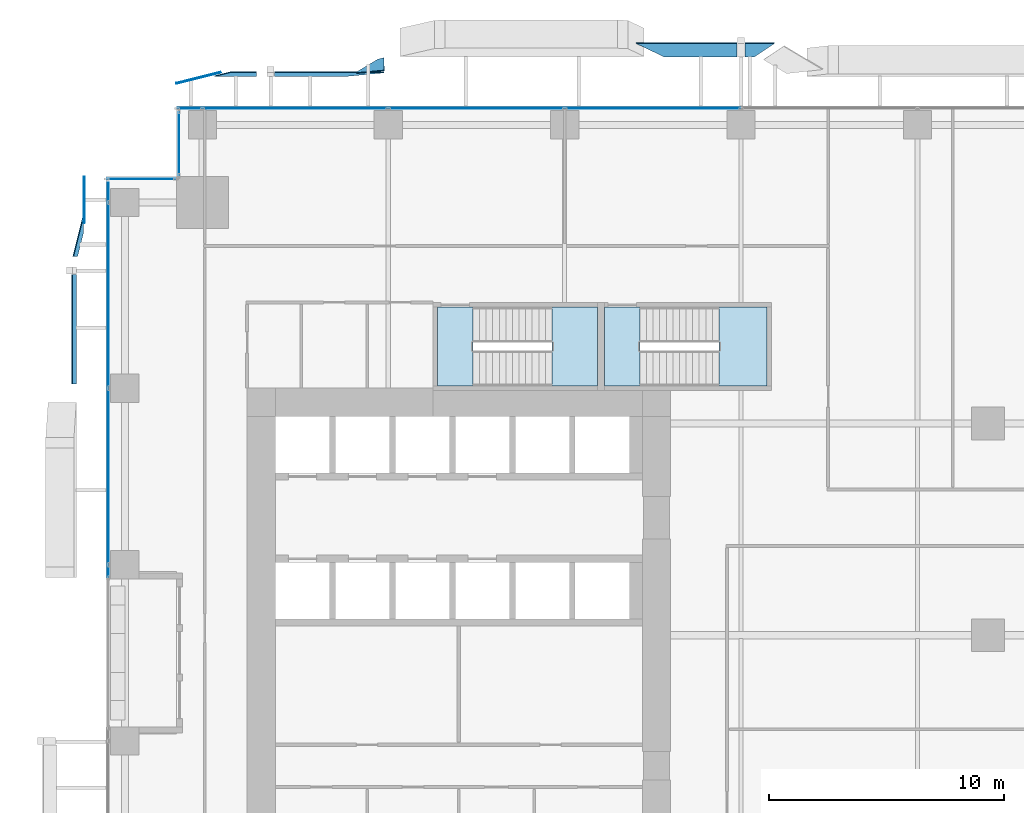
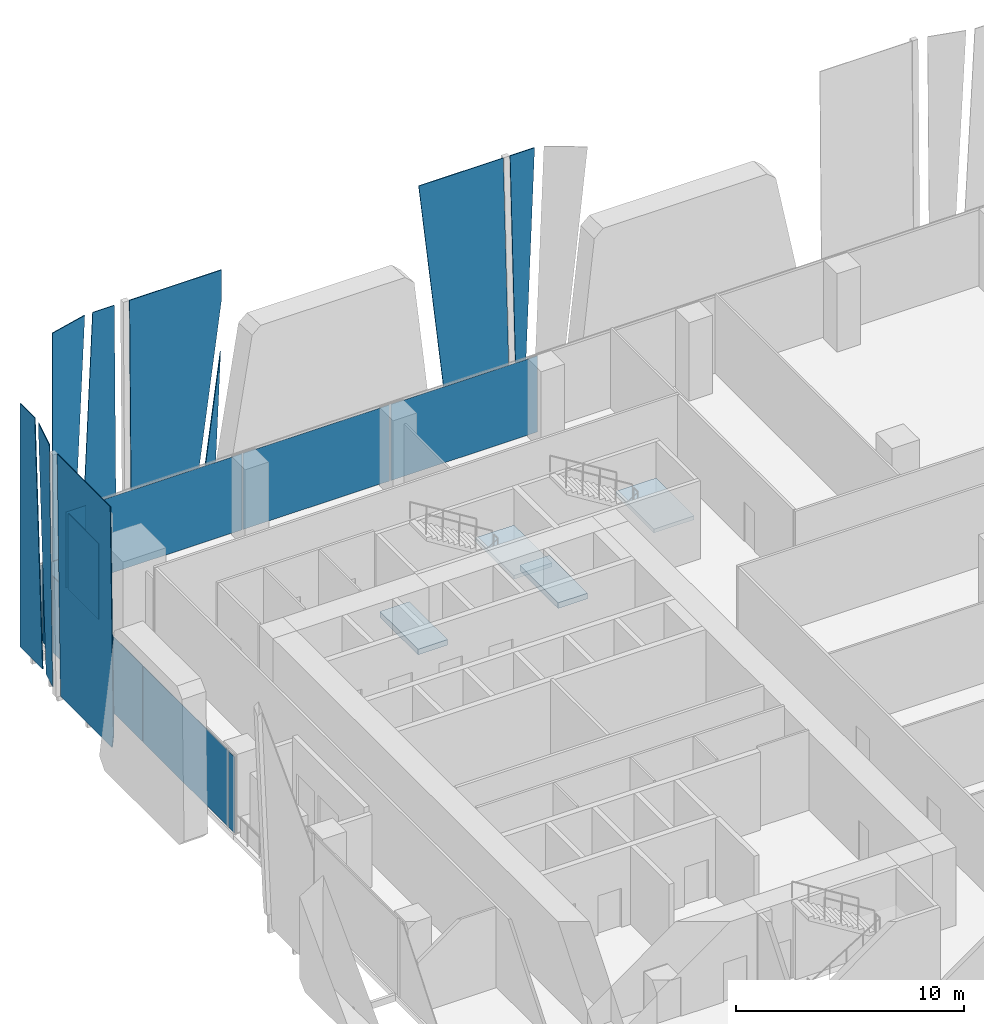
# One storey, part 27 of 37: 19 plates, 4 slabs, 6 elements without a shape of their own.
"""IFC4 building model written with IfcOpenShell, lengths in metres."""

from ifc_helpers import new_model, si_unit, direction, frame, origin, origin_2d, place, context, subcontext, project, spatial, polyline, rectangle, outline, extrude, source, transform, mapped, material, layer, layer_set, type_object, element, aggregate, save


model = new_model("IFC4")

# Units and contexts
model_context = context("Model", 3, precision=1e-05, world=origin(), true_north=direction((0.0, 1.0)))
body_context = subcontext(model_context, "Body", "Model", "MODEL_VIEW")
ifc_project = project(units=[si_unit("LENGTHUNIT", "METRE"), si_unit("AREAUNIT", "SQUARE_METRE"), si_unit("VOLUMEUNIT", "CUBIC_METRE"), si_unit("PLANEANGLEUNIT", "RADIAN"), si_unit("MASSUNIT", "GRAM", prefix="KILO")], contexts=[model_context])

# Site, building, storey
site_placement = place(None, origin())
site = spatial("IfcSite", under=ifc_project, at=site_placement, CompositionType="ELEMENT")
building_placement = place(site_placement, origin())
building = spatial("IfcBuilding", under=site, at=building_placement, Name="Khomas Fold Tower", CompositionType="ELEMENT")
storey_placement = place(building_placement, frame((0.0, 0.0, 60.0)))
storey = spatial("IfcBuildingStorey", under=building, at=storey_placement, Name="L12", CompositionType="ELEMENT", Elevation=60.0)

# Plates
ifc_material_1 = material(Name="Clear laminated glass", Category="glass")
ifc_layer_1 = layer(ifc_material_1, 0.0400390625)
ifc_layer_set_1 = layer_set([ifc_layer_1], Name="Clear laminated glass")
plate_type_1 = type_object("IfcPlateType", Name="SK-Clear laminated glass leaf", PredefinedType="SHEET", material=ifc_layer_set_1)
plate_1_placement = place(storey_placement, frame((6.39990234375, 55.254638671875, 0.0), z_axis=(0.0, -0.999913527075, 0.013150603512), x_axis=(-1.0, 0.0, 0.0)))
element("IfcPlate", 1, at=plate_1_placement, inside=storey, type_object=plate_type_1, Name="OUTER SKIN glass L12 NG098-1", PredefinedType="SHEET", context=body_context, shape_type="SweptSolid", body=[
    extrude(outline(polyline([(0.0, 0.0), (1.78076171875, 0.0), (1.0947265625, -13.051177401611568), (0.0, -13.051177401611568), (0.0, 0.0)])), origin(), (0.0, 0.0, -1.0), 0.0400390625),
])
plate_2_placement = place(storey_placement, frame((4.208984375, 55.243408203125, 0.0), z_axis=(0.242589153705, -0.970129116395, 5.311545e-06), x_axis=(-0.970129116408, -0.242589153708, 2.93e-10)))
element("IfcPlate", 2, at=plate_2_placement, inside=storey, type_object=plate_type_1, Name="OUTER SKIN glass L12 NG098-2", PredefinedType="SHEET", context=body_context, shape_type="SweptSolid", body=[
    extrude(outline(polyline([(0.0, 0.0), (1.2562587433930767, 2.117582368135751e-22), (1.2562587472176852, -13.050048827940913), (-0.7069416131304126, -13.050048828884448), (0.0, 0.0)])), origin(), (0.0, 0.0, -1.0), 0.0400390625),
])
plate_3_placement = place(storey_placement, frame((10.20458984375, 55.254638671875, 0.0), z_axis=(-3.630816e-06, -0.999913521121, 0.013151055681), x_axis=(-0.999999999993, 3.630502e-06, -4.7749e-08)))
element("IfcPlate", 3, at=plate_3_placement, inside=storey, type_object=plate_type_1, Name="OUTER SKIN glass L12 NG099-4", PredefinedType="SHEET", context=body_context, shape_type="SweptSolid", body=[
    extrude(outline(polyline([(0.0, 0.0), (3.0346679687299973, -2.0081748074285418e-23), (3.0346679687085687, -13.051177401610234), (-1.625488281260714, -13.051177401610234), (-1.6254882813621536, -11.53102604196463), (0.0, 0.0)])), origin(), (0.0, 0.0, -1.0), 0.0400390625),
])
plate_4_placement = place(storey_placement, frame((11.561767578125, 55.99462890625, 0.00244140625), z_axis=(-0.51351029204, 0.855899223322, 0.061185778461), x_axis=(-0.857505802134, -0.514474294115, 1.534219e-06)))
element("IfcPlate", 4, at=plate_4_placement, inside=storey, type_object=plate_type_1, Name="OUTER SKIN glass L12 NG099-5", PredefinedType="SHEET", context=body_context, shape_type="SweptSolid", body=[
    extrude(outline(polyline([(0.0, 0.0), (0.9609112616658309, 3.469446951953614e-18), (1.0078891432317691, 0.04501191390445132), (1.0252232275310489, 0.09760362541417716), (1.041719918053912, 0.15948604061176724), (1.0637015507310672, 0.24802471269793766), (1.074545820850679, 0.2947449708503985), (1.0864787055430158, 0.3869593856419874), (0.02968566915562087, 8.681057390938134), (-0.24150484592150526, 1.2917328566879998), (0.0, 0.0)])), origin(), (0.0, 0.0, -1.0), 0.0400390625),
])
plate_5_placement = place(storey_placement, frame((23.728515625, 56.08251953125, 0.0), z_axis=(0.0, -0.99904235518, 0.043753543365), x_axis=(-0.09040611874, 0.043574371829, 0.994951259014)))
element("IfcPlate", 5, at=plate_5_placement, inside=storey, type_object=plate_type_1, Name="OUTER SKIN glass L12 NG102-6", PredefinedType="SHEET", context=body_context, shape_type="SweptSolid", body=[
    extrude(outline(polyline([(0.0, 0.0), (13.116269475405648, -2.220446049250313e-16), (12.728666484389855, -4.269796726929475), (-0.2804002276558648, -3.0888615465470104), (0.0, 0.0)])), origin(), (0.0, 0.0, -1.0), 0.0400390625),
])
plate_6_placement = place(storey_placement, frame((27.556640625, 56.08251953125, 0.0), z_axis=(0.0, -0.99904235518, 0.043753543365), x_axis=(-1.0, 0.0, 0.0)))
element("IfcPlate", 6, at=plate_6_placement, inside=storey, type_object=plate_type_1, Name="OUTER SKIN glass L12 NG103-8", PredefinedType="SHEET", context=body_context, shape_type="SweptSolid", body=[
    extrude(outline(polyline([(0.0, 0.0), (0.38671875, 0.0), (0.38671875, -13.062558119247587), (-0.8583984375, -13.062558119247587), (0.0, 0.0)])), origin(), (0.0, 0.0, -1.0), 0.0400390625),
])
plate_7_placement = place(storey_placement, frame((-1.2646484375, 42.169921875, 0.7509765625), z_axis=(0.999913529093, -1.429417e-05, 0.013150442287), x_axis=(-0.013150442288, 1.52e-10, 0.999913529195)))
element("IfcPlate", 7, at=plate_7_placement, inside=storey, type_object=plate_type_1, Name="OUTER SKIN glass L12 WG106-8", PredefinedType="SHEET", context=body_context, shape_type="SweptSolid", body=[
    extrude(outline(polyline([(0.0, 0.0), (12.300134143813965, 4.235164736271502e-22), (12.300134144524073, -4.6601562495239115), (-0.751043257087326, -4.660156251542712), (-0.7510432577750012, -0.14721679887875988), (0.0, 0.0)])), origin(), (0.0, 0.0, -1.0), 0.0400390625),
])
plate_8_placement = place(storey_placement, frame((-0.93994140625, 49.019287109375, 0.0), z_axis=(-1.0, 0.0, 0.0), x_axis=(0.0, 0.052478427046, 0.998622057985)))
element("IfcPlate", 8, at=plate_8_placement, inside=storey, type_object=plate_type_1, Name="OUTER SKIN glass L12 WG107-10", PredefinedType="SHEET", context=body_context, shape_type="SweptSolid", body=[
    extrude(outline(polyline([(0.0, 0.0), (13.068055851333002, 0.0), (13.136011314480237, 1.2931375477426834), (0.10394469692939749, 1.9779835831139498), (0.0, 0.0)])), origin(), (0.0, 0.0, -1.0), 0.0400390625),
])
plate_9_placement = place(storey_placement, frame((-1.376220703125, 47.60009765625, 13.050048828125), z_axis=(0.970027872378, -0.242659173669, 0.012745675502), x_axis=(0.242678878997, 0.970106675417, 5.93401e-07)))
element("IfcPlate", 9, at=plate_9_placement, inside=storey, type_object=plate_type_1, Name="OUTER SKIN glass L12 WG107-11", PredefinedType="SHEET", context=body_context, shape_type="SweptSolid", body=[
    extrude(outline(polyline([(0.0, 0.0), (1.756843755813979, 0.0), (1.0915455696981158, -13.051109609930467), (0.041584192864100936, -13.051107944233095), (0.0, 0.0)])), origin(), (0.0, 0.0, -1.0), 0.0400390625),
])

# Curtain wall, plate
ifc_material_2 = material(Name="Aluminium framed double glazing", Category="aluminium")
curtain_wall_type = type_object("IfcCurtainWallType", Name="SK-Unitised clear-glass wall, growing floors CW1", PredefinedType="NOTDEFINED", material=ifc_material_2)
curtain_wall_1_placement = place(storey_placement, origin())
curtain_wall_1 = element("IfcCurtainWall", 10, at=curtain_wall_1_placement, inside=storey, type_object=curtain_wall_type, Name="CW1 run L12 09-0", PredefinedType="NOTDEFINED")
ifc_material_3 = material(Name="Clear double glazed unit")
ifc_layer_2 = layer(ifc_material_3, 0.031982421875)
ifc_layer_set_2 = layer_set([ifc_layer_2], Name="Clear double glazed unit")
plate_type_2 = type_object("IfcPlateType", Name="SK-Unitised clear-glass wall, growing floors glass panel CW1-P", PredefinedType="CURTAIN_PANEL", material=ifc_layer_set_2)
shared_shape_1 = source(origin(), body_context, "Body", "SweptSolid", [
    extrude(rectangle(XDim=0.81005859375, YDim=0.031982421875, at=origin_2d()), origin(), (0.0, 0.0, 1.0), 4.080078125),
])
plate_10_placement = place(storey_placement, frame((0.10009765625, 50.3349609375, 0.0), z_axis=(0.0, 0.0, 1.0), x_axis=(0.0, -1.0, 0.0)))
plate_10 = element("IfcPlate", 11, at=plate_10_placement, type_object=plate_type_2, Name="CW1 glass panel 1", PredefinedType="CURTAIN_PANEL", context=body_context, shape_type="MappedRepresentation", body=[
    mapped(shared_shape_1, transform((0.0, 0.0, 0.0))),
])

curtain_wall_2_placement = place(storey_placement, origin())
curtain_wall_2 = element("IfcCurtainWall", 12, at=curtain_wall_2_placement, inside=storey, type_object=curtain_wall_type, Name="CW1 run L12 06-0", PredefinedType="NOTDEFINED")
shared_shape_2 = source(origin(), body_context, "Body", "SweptSolid", [
    extrude(rectangle(XDim=7.840087890625, YDim=0.031982421875, at=origin_2d()), origin(), (0.0, 0.0, 1.0), 4.080078125),
])
plate_11_placement = place(storey_placement, frame((8.050048828125, 53.89990234375, 0.0), z_axis=(0.0, 0.0, 1.0), x_axis=(-1.0, 0.0, 0.0)))
plate_11 = element("IfcPlate", 13, at=plate_11_placement, type_object=plate_type_2, Name="CW1 glass panel 7", PredefinedType="CURTAIN_PANEL", context=body_context, shape_type="MappedRepresentation", body=[
    mapped(shared_shape_2, transform((0.0, 0.0, 0.0))),
])

# Plate
plate_12_placement = place(storey_placement, frame((0.10009765625, 45.949951171875, 0.0), z_axis=(0.0, 0.0, 1.0), x_axis=(0.0, -1.0, 0.0)))
plate_12 = element("IfcPlate", 14, at=plate_12_placement, type_object=plate_type_2, Name="CW1 glass panel 2", PredefinedType="CURTAIN_PANEL", context=body_context, shape_type="MappedRepresentation", body=[
    mapped(shared_shape_2, transform((0.0, 0.0, 0.0))),
])

shared_shape_3 = source(origin(), body_context, "Body", "SweptSolid", [
    extrude(rectangle(XDim=7.43994140625, YDim=0.031982421875, at=origin_2d()), origin(), (0.0, 0.0, 1.0), 4.080078125),
])
plate_13_placement = place(storey_placement, frame((23.25, 53.89990234375, 0.0), z_axis=(0.0, 0.0, 1.0), x_axis=(-1.0, 0.0, 0.0)))
plate_13 = element("IfcPlate", 15, at=plate_13_placement, type_object=plate_type_2, Name="CW1 glass panel 5", PredefinedType="CURTAIN_PANEL", context=body_context, shape_type="MappedRepresentation", body=[
    mapped(shared_shape_3, transform((0.0, 0.0, 0.0))),
])

plate_14_placement = place(storey_placement, frame((15.75, 53.89990234375, 0.0), z_axis=(0.0, 0.0, 1.0), x_axis=(-1.0, 0.0, 0.0)))
plate_14 = element("IfcPlate", 16, at=plate_14_placement, type_object=plate_type_2, Name="CW1 glass panel 6", PredefinedType="CURTAIN_PANEL", context=body_context, shape_type="MappedRepresentation", body=[
    mapped(shared_shape_3, transform((0.0, 0.0, 0.0))),
])

plate_15_placement = place(storey_placement, frame((0.10009765625, 38.25, 0.0), z_axis=(0.0, 0.0, 1.0), x_axis=(0.0, -1.0, 0.0)))
plate_15 = element("IfcPlate", 17, at=plate_15_placement, type_object=plate_type_2, Name="CW1 glass panel 3", PredefinedType="CURTAIN_PANEL", context=body_context, shape_type="MappedRepresentation", body=[
    mapped(shared_shape_3, transform((0.0, 0.0, 0.0))),
])

shared_shape_4 = source(origin(), body_context, "Body", "SweptSolid", [
    extrude(rectangle(XDim=1.010009765625, YDim=0.031982421875, at=origin_2d()), origin(), (0.0, 0.0, 1.0), 4.080078125),
])
plate_16_placement = place(storey_placement, frame((3.56494140625, 53.89990234375, 0.0), z_axis=(0.0, 0.0, 1.0), x_axis=(-1.0, 0.0, 0.0)))
plate_16 = element("IfcPlate", 18, at=plate_16_placement, type_object=plate_type_2, Name="CW1 glass panel 8", PredefinedType="CURTAIN_PANEL", context=body_context, shape_type="MappedRepresentation", body=[
    mapped(shared_shape_4, transform((0.0, 0.0, 0.0))),
])

aggregate(curtain_wall_2, [plate_13, plate_14, plate_11, plate_16])

# Curtain wall, plate
curtain_wall_3_placement = place(storey_placement, origin())
curtain_wall_3 = element("IfcCurtainWall", 19, at=curtain_wall_3_placement, inside=storey, type_object=curtain_wall_type, Name="CW1 corner return L12 07", PredefinedType="NOTDEFINED")
shared_shape_5 = source(origin(), body_context, "Body", "SweptSolid", [
    extrude(rectangle(XDim=2.679931640625, YDim=0.031982421875, at=origin_2d()), origin(), (0.0, 0.0, 1.0), 4.080078125),
])
plate_17_placement = place(storey_placement, frame((3.10009765625, 52.39990234375, 0.0), z_axis=(0.0, 0.0, 1.0), x_axis=(0.0, -1.0, 0.0)))
plate_17 = element("IfcPlate", 20, at=plate_17_placement, type_object=plate_type_2, Name="CW1 glass panel 1", PredefinedType="CURTAIN_PANEL", context=body_context, shape_type="MappedRepresentation", body=[
    mapped(shared_shape_5, transform((0.0, 0.0, 0.0))),
])
aggregate(curtain_wall_3, [plate_17])

curtain_wall_4_placement = place(storey_placement, origin())
curtain_wall_4 = element("IfcCurtainWall", 21, at=curtain_wall_4_placement, inside=storey, type_object=curtain_wall_type, Name="CW1 corner return L12 08", PredefinedType="NOTDEFINED")
shared_shape_6 = source(origin(), body_context, "Body", "SweptSolid", [
    extrude(rectangle(XDim=2.8798828125, YDim=0.031982421875, at=origin_2d()), origin(), (0.0, 0.0, 1.0), 4.080078125),
])
plate_18_placement = place(storey_placement, frame((1.5, 50.89990234375, 0.0), z_axis=(0.0, 0.0, 1.0), x_axis=(-1.0, 0.0, 0.0)))
plate_18 = element("IfcPlate", 22, at=plate_18_placement, type_object=plate_type_2, Name="CW1 glass panel 1", PredefinedType="CURTAIN_PANEL", context=body_context, shape_type="MappedRepresentation", body=[
    mapped(shared_shape_6, transform((0.0, 0.0, 0.0))),
])
aggregate(curtain_wall_4, [plate_18])

# Plate
shared_shape_7 = source(origin(), body_context, "Body", "SweptSolid", [
    extrude(rectangle(XDim=0.510009765625, YDim=0.031982421875, at=origin_2d()), origin(), (0.0, 0.0, 1.0), 4.080078125),
])
plate_19_placement = place(storey_placement, frame((0.10009765625, 34.215087890625, 0.0), z_axis=(0.0, 0.0, 1.0), x_axis=(0.0, -1.0, 0.0)))
plate_19 = element("IfcPlate", 23, at=plate_19_placement, type_object=plate_type_2, Name="CW1 glass panel 4", PredefinedType="CURTAIN_PANEL", context=body_context, shape_type="MappedRepresentation", body=[
    mapped(shared_shape_7, transform((0.0, 0.0, 0.0))),
])

aggregate(curtain_wall_1, [plate_10, plate_12, plate_15, plate_19])

# Stair, slab
ifc_material_4 = material(Name="Concrete C40/50", Category="concrete")
stair_type_1 = type_object("IfcStairType", Name="Stair ST1", PredefinedType="HALF_TURN_STAIR", material=ifc_material_4)
stair_1_placement = place(storey_placement, origin())
stair_1 = element("IfcStair", 24, at=stair_1_placement, inside=storey, type_object=stair_type_1, Name="L12 ST1", PredefinedType="HALF_TURN_STAIR")
ifc_material_5 = material(Name="Concrete C40/50", Category="concrete")
ifc_layer_3 = layer(ifc_material_5, 0.199951171875)
ifc_layer_set_3 = layer_set([ifc_layer_3], Name="Concrete C40/50")
slab_type_1 = type_object("IfcSlabType", Name="Stair landing 200", PredefinedType="LANDING", material=ifc_layer_set_3)
shared_shape_8 = source(origin(), body_context, "Body", "SweptSolid", [
    extrude(outline(polyline([(18.9599609375, 42.10009765625), (20.89990234375, 42.10009765625), (20.89990234375, 45.449951171875), (18.9599609375, 45.449951171875), (18.9599609375, 42.10009765625)])), origin(), (0.0, 0.0, 1.0), 0.199951171875),
])
slab_1_placement = place(storey_placement, frame((0.0, 0.0, 2.050048828125)))
slab_1 = element("IfcSlab", 25, at=slab_1_placement, type_object=slab_type_1, Name="ST1 landing 1", PredefinedType="LANDING", context=body_context, shape_type="MappedRepresentation", body=[
    mapped(shared_shape_8, transform((0.0, 0.0, 0.0))),
])
aggregate(stair_1, [slab_1])

# Slab
ifc_material_6 = material(Name="Concrete C40/50", Category="concrete")
ifc_layer_4 = layer(ifc_material_6, 0.300048828125)
ifc_layer_set_4 = layer_set([ifc_layer_4], Name="Concrete C40/50")
slab_type_2 = type_object("IfcSlabType", Name="Stair floor landing 300", PredefinedType="LANDING", material=ifc_layer_set_4)
shared_shape_9 = source(origin(), body_context, "Body", "SweptSolid", [
    extrude(outline(polyline([(15.60009765625, 42.10009765625), (14.10009765625, 42.10009765625), (14.10009765625, 45.449951171875), (15.60009765625, 45.449951171875), (15.60009765625, 42.10009765625)])), origin(), (0.0, 0.0, 1.0), 0.300048828125),
])
slab_2_placement = place(storey_placement, frame((0.0, 0.0, -0.300048828125)))
element("IfcSlab", 26, at=slab_2_placement, inside=storey, type_object=slab_type_2, Name="ST1 floor landing", PredefinedType="LANDING", context=body_context, shape_type="MappedRepresentation", body=[
    mapped(shared_shape_9, transform((0.0, 0.0, 0.0))),
])

# Stair, slab
ifc_material_7 = material(Name="Concrete C40/50", Category="concrete")
stair_type_2 = type_object("IfcStairType", Name="Stair ST3", PredefinedType="HALF_TURN_STAIR", material=ifc_material_7)
stair_2_placement = place(storey_placement, origin())
stair_2 = element("IfcStair", 27, at=stair_2_placement, inside=storey, type_object=stair_type_2, Name="L12 ST3", PredefinedType="HALF_TURN_STAIR")
shared_shape_10 = source(origin(), body_context, "Body", "SweptSolid", [
    extrude(outline(polyline([(26.06005859375, 42.10009765625), (28.10009765625, 42.10009765625), (28.10009765625, 45.449951171875), (26.06005859375, 45.449951171875), (26.06005859375, 42.10009765625)])), origin(), (0.0, 0.0, 1.0), 0.199951171875),
])
slab_3_placement = place(storey_placement, frame((0.0, 0.0, 2.050048828125)))
slab_3 = element("IfcSlab", 28, at=slab_3_placement, type_object=slab_type_1, Name="ST3 landing 1", PredefinedType="LANDING", context=body_context, shape_type="MappedRepresentation", body=[
    mapped(shared_shape_10, transform((0.0, 0.0, 0.0))),
])
aggregate(stair_2, [slab_3])

# Slab
shared_shape_11 = source(origin(), body_context, "Body", "SweptSolid", [
    extrude(outline(polyline([(22.699951171875, 42.10009765625), (21.199951171875, 42.10009765625), (21.199951171875, 45.449951171875), (22.699951171875, 45.449951171875), (22.699951171875, 42.10009765625)])), origin(), (0.0, 0.0, 1.0), 0.300048828125),
])
slab_4_placement = place(storey_placement, frame((0.0, 0.0, -0.300048828125)))
element("IfcSlab", 29, at=slab_4_placement, inside=storey, type_object=slab_type_2, Name="ST3 floor landing", PredefinedType="LANDING", context=body_context, shape_type="MappedRepresentation", body=[
    mapped(shared_shape_11, transform((0.0, 0.0, 0.0))),
])

save(model, "model.ifc")
